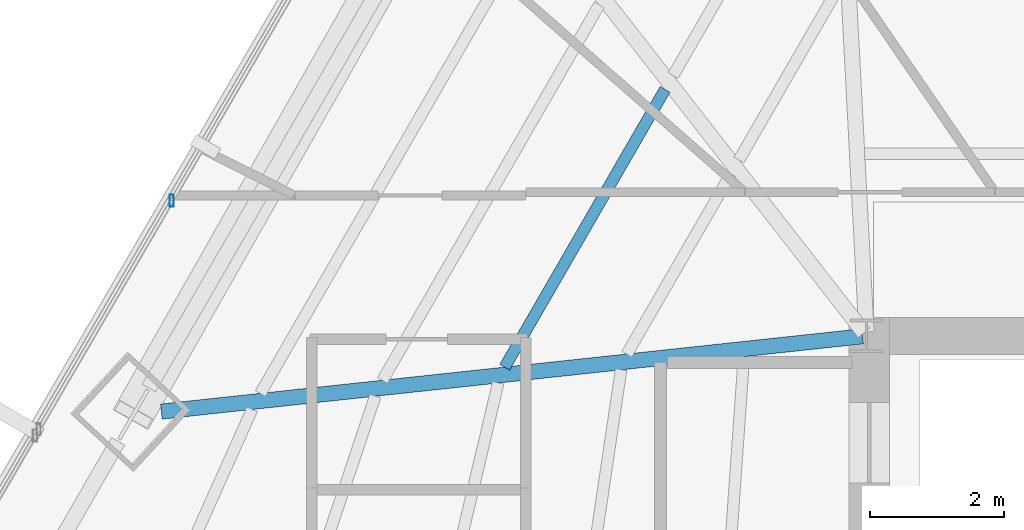
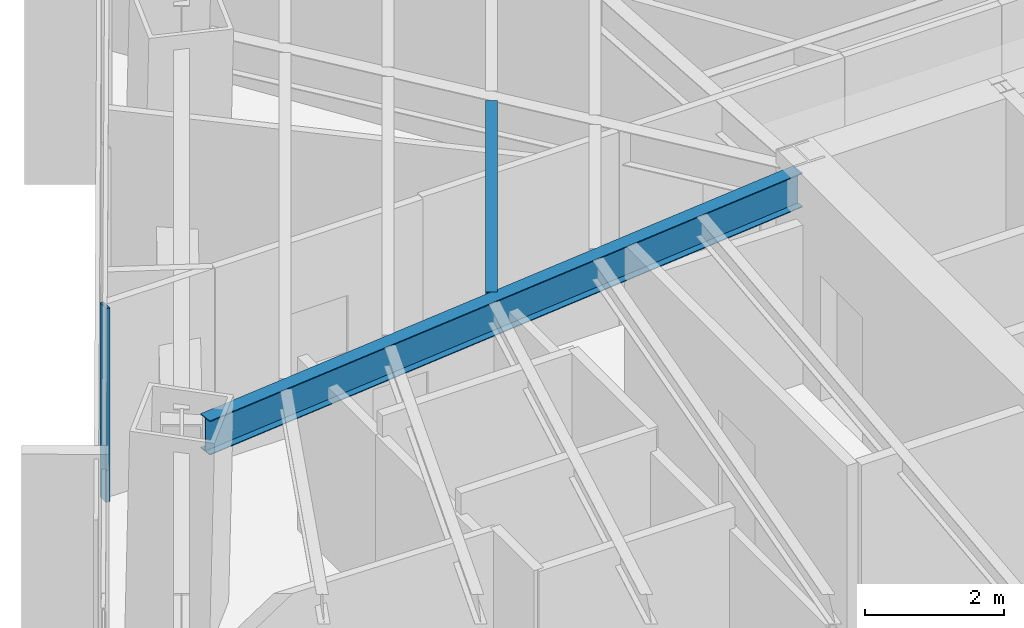
# One storey, part 13 of 36: 2 beams, 1 member, 1 element without a shape of its own.
"""IFC4 building model written with IfcOpenShell, lengths in metres."""

from ifc_helpers import new_model, si_unit, direction, frame, origin, origin_2d, place, context, subcontext, project, spatial, hollow_rectangle, i_section, extrude, source, transform, mapped, material, material_profile, profile_set, type_object, type_shapes, element, aggregate, save


model = new_model("IFC4")

# Units and contexts
model_context = context("Model", 3, precision=1e-05, world=origin(), true_north=direction((0.0, 1.0)))
body_context = subcontext(model_context, "Body", "Model", "MODEL_VIEW")
ifc_project = project(units=[si_unit("LENGTHUNIT", "METRE"), si_unit("AREAUNIT", "SQUARE_METRE"), si_unit("VOLUMEUNIT", "CUBIC_METRE"), si_unit("PLANEANGLEUNIT", "RADIAN"), si_unit("MASSUNIT", "GRAM", prefix="KILO")], contexts=[model_context])

# Site, building, storey
site_placement = place(None, origin())
site = spatial("IfcSite", under=ifc_project, at=site_placement, CompositionType="ELEMENT")
building_placement = place(site_placement, origin())
building = spatial("IfcBuilding", under=site, at=building_placement, Name="Caelisora Broadcast Tower", CompositionType="ELEMENT")
storey_placement = place(building_placement, frame((0.0, 0.0, 64.10009765625)))
storey = spatial("IfcBuildingStorey", under=building, at=storey_placement, Name="L16", CompositionType="ELEMENT", Elevation=64.10009765625)

# Beams
ifc_material_1 = material(Name="Steel Grade 350 (AS/NZS 3679.1)", Category="steel")
ifc_material_profile_1 = material_profile(ifc_material_1, i_section(OverallWidth=0.22802734375, OverallDepth=0.602294921875, WebThickness=0.010498046875, FlangeThickness=0.014892578125, at=origin_2d()), Name="Steel Grade 350 (AS/NZS 3679.1)")
ifc_profile_set_1 = profile_set([ifc_material_profile_1], Name="Steel Grade 350 (AS/NZS 3679.1)")
beam_type_1 = type_object("IfcBeamType", Name="PG04", PredefinedType="BEAM", material=ifc_profile_set_1)
shared_shape_1 = source(origin(), body_context, "Body", "SweptSolid", [
    extrude(i_section(OverallWidth=0.22802734375, OverallDepth=0.602294921875, WebThickness=0.010498046875, FlangeThickness=0.014892578125, at=origin_2d()), origin(), (0.0, 0.0, 1.0), 10.55078125),
])
type_shapes(beam_type_1, [shared_shape_1])
beam_1_placement = place(storey_placement, frame((30.440185546875, 29.99365234375, 3.098876953125), z_axis=(-0.994284177937, -0.106765975401, 0.0), x_axis=(0.106765975401, -0.994284177937, 0.0)))
element("IfcBeam", 1, at=beam_1_placement, inside=storey, type_object=beam_type_1, Name="L16 beam PG04", PredefinedType="BEAM", context=body_context, shape_type="MappedRepresentation", body=[
    mapped(shared_shape_1, transform((0.0, 0.0, 0.0), scale=1.0)),
])
ifc_material_profile_2 = material_profile(ifc_material_1, i_section(OverallWidth=0.172119140625, OverallDepth=0.358642578125, WebThickness=0.008056640625, FlangeThickness=0.012939453125, at=origin_2d()), Name="Steel Grade 350 (AS/NZS 3679.1)")
ifc_profile_set_2 = profile_set([ifc_material_profile_2], Name="Steel Grade 350 (AS/NZS 3679.1)")
beam_type_2 = type_object("IfcBeamType", Name="SB02", PredefinedType="JOIST", material=ifc_profile_set_2)
shared_shape_2 = source(origin(), body_context, "Body", "SweptSolid", [
    extrude(i_section(OverallWidth=0.172119140625, OverallDepth=0.358642578125, WebThickness=0.008056640625, FlangeThickness=0.012939453125, at=origin_2d()), origin(), (0.0, 0.0, 1.0), 4.799560546875),
])
type_shapes(beam_type_2, [shared_shape_2])
beam_2_placement = place(storey_placement, frame((27.485107421875, 33.687255859375, 3.220703125), z_axis=(-0.500023335103, -0.866011930837, 0.0), x_axis=(0.866011930837, -0.500023335103, 0.0)))
element("IfcBeam", 2, at=beam_2_placement, inside=storey, type_object=beam_type_2, Name="L16 beam SB02", PredefinedType="JOIST", context=body_context, shape_type="MappedRepresentation", body=[
    mapped(shared_shape_2, transform((0.0, 0.0, 0.0), scale=1.0)),
])

# Curtain wall, member
ifc_material_2 = material(Name="Unitised Aluminium Insulated Shadow-Box Spandrel Curtain Wall", Category="aluminium")
curtain_wall_type = type_object("IfcCurtainWallType", Name="CW-SP1", PredefinedType="NOTDEFINED", material=ifc_material_2)
curtain_wall_placement = place(storey_placement, origin())
curtain_wall = element("IfcCurtainWall", 3, at=curtain_wall_placement, inside=storey, type_object=curtain_wall_type, Name="L16 curtain wall CW-SP1", PredefinedType="NOTDEFINED")
ifc_material_3 = material(Name="Aluminium 6063-T6 Anodised Terracotta Bronze", Category="aluminium")
ifc_material_profile_3 = material_profile(ifc_material_3, hollow_rectangle(XDim=0.06494140625, YDim=0.179931640625, WallThickness=0.00341796875, at=origin_2d()), Name="Aluminium 6063-T6 Anodised Terracotta Bronze")
ifc_profile_set_3 = profile_set([ifc_material_profile_3], Name="Aluminium 6063-T6 Anodised Terracotta Bronze")
member_type = type_object("IfcMemberType", Name="CWM-02", PredefinedType="MULLION", material=ifc_profile_set_3)
shared_shape_3 = source(origin(), body_context, "Body", "SweptSolid", [
    extrude(hollow_rectangle(XDim=0.06494140625, YDim=0.179931640625, WallThickness=0.00341796875, at=origin_2d()), origin(), (0.0, 0.0, 1.0), 3.39990234375),
])
type_shapes(member_type, [shared_shape_3])
member_placement = place(storey_placement, frame((20.10595703125, 32.021484375, 0.0), z_axis=(0.0, 0.0, 1.0), x_axis=(1.0, 0.0, 0.0)))
member = element("IfcMember", 4, at=member_placement, type_object=member_type, Name="L16-CW-B10 mullion #1", PredefinedType="MULLION", context=body_context, shape_type="MappedRepresentation", body=[
    mapped(shared_shape_3, transform((0.0, 0.0, 0.0), scale=1.0)),
])
aggregate(curtain_wall, [member])

save(model, "model.ifc")
